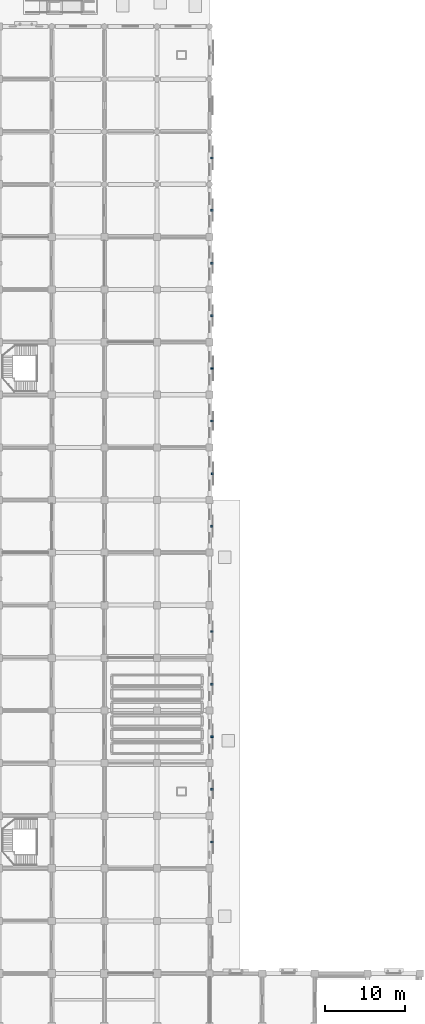
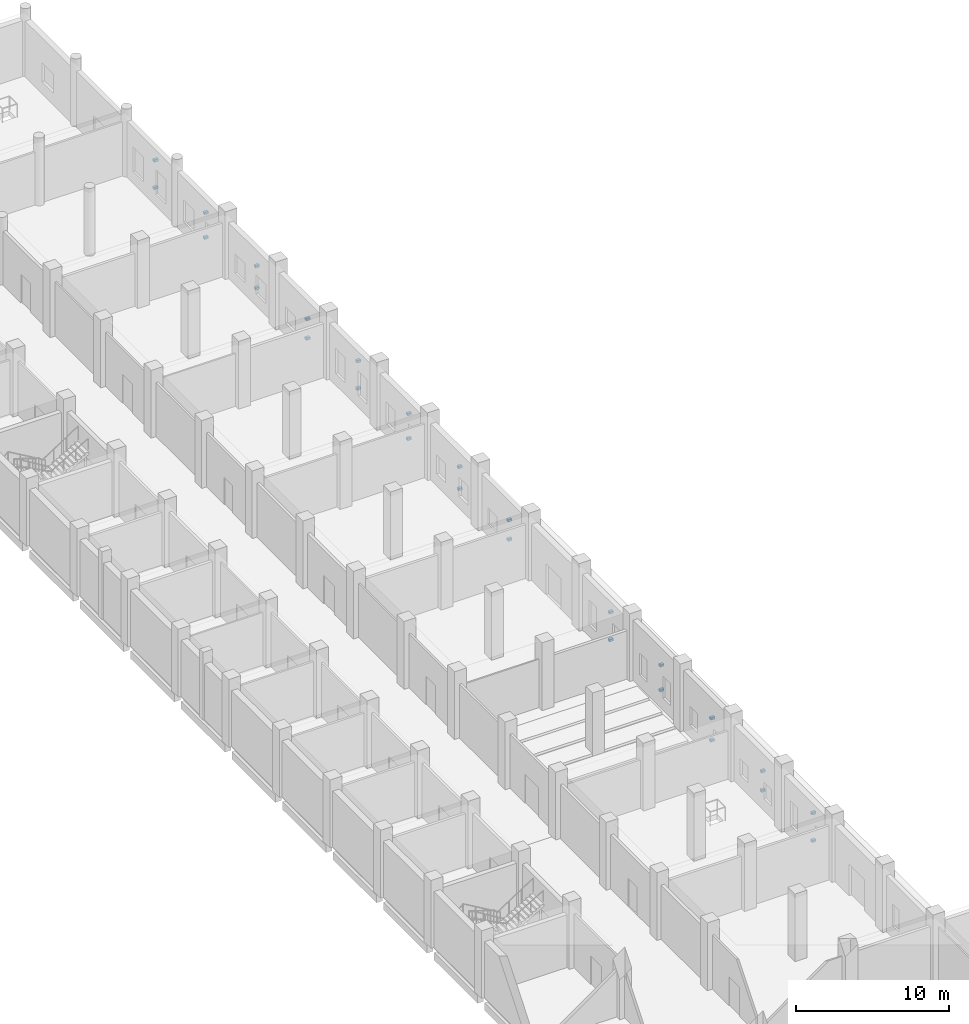
# One storey, part 22 of 28: 26 discrete accessories.
"""IFC4 building model written with IfcOpenShell, lengths in metres."""

from ifc_helpers import new_model, si_unit, direction, frame, origin, origin_2d, place, context, subcontext, project, spatial, rectangle, extrude, material, type_object, element, save


model = new_model("IFC4")

# Units and contexts
model_context = context("Model", 3, precision=1e-05, world=origin(), true_north=direction((0.0, 1.0)))
body_context = subcontext(model_context, "Body", "Model", "MODEL_VIEW")
ifc_project = project(units=[si_unit("LENGTHUNIT", "METRE"), si_unit("AREAUNIT", "SQUARE_METRE"), si_unit("VOLUMEUNIT", "CUBIC_METRE"), si_unit("PLANEANGLEUNIT", "RADIAN"), si_unit("MASSUNIT", "GRAM", prefix="KILO")], contexts=[model_context])

# Site, building, storey
site_placement = place(None, origin())
site = spatial("IfcSite", under=ifc_project, at=site_placement, CompositionType="ELEMENT")
building_placement = place(site_placement, origin())
building = spatial("IfcBuilding", under=site, at=building_placement, Name="Rusizi Kubbe Research Institute", CompositionType="ELEMENT")
storey_placement = place(building_placement, origin())
storey = spatial("IfcBuildingStorey", under=building, at=storey_placement, Name="L00", CompositionType="ELEMENT", Elevation=0.0)

# Discrete accessories
ifc_material = material(Name="Steel S355", Category="steel")
discrete_accessory_type = type_object("IfcDiscreteAccessoryType", Name="BK-01", PredefinedType="BRACKET", material=ifc_material)
for number, where, z_axis, x_axis, name in (
    (1, (26.719970703125, 69.300048828125, 0.740234375), (0.0, 0.0, 1.0), (1.0, 0.0, 0.0), "Solar Screen Bracket 2-1"),
    (2, (26.719970703125, 69.300048828125, 2.93994140625), (0.0, 0.0, 1.0), (1.0, 0.0, 0.0), "Solar Screen Bracket 2-2"),
    (3, (26.7099609375, 75.89990234375, 0.740234375), (0.0, 0.0, 1.0), (1.0, 0.0, 0.0), "Solar Screen Bracket 3-1"),
    (4, (26.7099609375, 75.89990234375, 2.2802734375), (0.0, 0.0, 1.0), (1.0, 0.0, 0.0), "Solar Screen Bracket 3-2"),
    (5, (26.702392578125, 82.5, 0.740234375), (0.0, 0.0, 1.0), (1.0, 0.0, 0.0), "Solar Screen Bracket 4-1"),
    (6, (26.702392578125, 82.5, 2.5), (0.0, 0.0, 1.0), (1.0, 0.0, 0.0), "Solar Screen Bracket 4-2"),
    (7, (26.695068359375, 89.10009765625, 0.740234375), (0.0, 0.0, 1.0), (1.0, 0.0, 0.0), "Solar Screen Bracket 5-1"),
    (8, (26.695068359375, 89.10009765625, 2.72021484375), (0.0, 0.0, 1.0), (1.0, 0.0, 0.0), "Solar Screen Bracket 5-2"),
    (9, (26.6875, 95.699951171875, 0.740234375), (0.0, 0.0, 1.0), (1.0, 0.0, 0.0), "Solar Screen Bracket 6-1"),
    (10, (26.6875, 95.699951171875, 2.93994140625), (0.0, 0.0, 1.0), (1.0, 0.0, 0.0), "Solar Screen Bracket 6-2"),
    (11, (26.672607421875, 108.89990234375, 0.740234375), (0.0, 0.0, 1.0), (1.0, 0.0, 0.0), "Solar Screen Bracket 7-1"),
    (12, (26.672607421875, 108.89990234375, 2.2802734375), (0.0, 0.0, 1.0), (1.0, 0.0, 0.0), "Solar Screen Bracket 7-2"),
    (13, (26.72998046875, 115.5, 0.740234375), (0.0, 0.0, 1.0), (1.0, 0.0, 0.0), "Solar Screen Bracket 8-1"),
    (14, (26.72998046875, 115.5, 2.5), (0.0, 0.0, 1.0), (1.0, 0.0, 0.0), "Solar Screen Bracket 8-2"),
    (15, (26.719970703125, 122.10009765625, 0.740234375), (0.0, 0.0, 1.0), (1.0, 0.0, 0.0), "Solar Screen Bracket 9-1"),
    (16, (26.719970703125, 122.10009765625, 2.72021484375), (0.0, 0.0, 1.0), (1.0, 0.0, 0.0), "Solar Screen Bracket 9-2"),
    (17, (26.7099609375, 128.699951171875, 0.740234375), (0.0, 0.0, 1.0), (1.0, 0.0, 0.0), "Solar Screen Bracket 10-1"),
    (18, (26.7099609375, 128.699951171875, 2.93994140625), (0.0, 0.0, 1.0), (1.0, 0.0, 0.0), "Solar Screen Bracket 10-2"),
    (19, (26.702392578125, 135.300048828125, 0.740234375), (0.0, 0.0, 1.0), (1.0, 0.0, 0.0), "Solar Screen Bracket 11-1"),
    (20, (26.702392578125, 135.300048828125, 2.2802734375), (0.0, 0.0, 1.0), (1.0, 0.0, 0.0), "Solar Screen Bracket 11-2"),
    (21, (26.695068359375, 141.89990234375, 0.740234375), (0.0, 0.0, 1.0), (1.0, 0.0, 0.0), "Solar Screen Bracket 12-1"),
    (22, (26.695068359375, 141.89990234375, 2.5), (0.0, 0.0, 1.0), (1.0, 0.0, 0.0), "Solar Screen Bracket 12-2"),
    (23, (26.6875, 148.550048828125, 0.740234375), (0.0, 0.0, 1.0), (1.0, 0.0, 0.0), "Solar Screen Bracket 13-1"),
    (24, (26.6875, 148.550048828125, 2.72021484375), (0.0, 0.0, 1.0), (1.0, 0.0, 0.0), "Solar Screen Bracket 13-2"),
    (25, (26.679931640625, 155.10009765625, 0.740234375), (0.0, 0.0, 1.0), (1.0, 0.0, 0.0), "Solar Screen Bracket 14-1"),
    (26, (26.679931640625, 155.10009765625, 2.93994140625), (0.0, 0.0, 1.0), (1.0, 0.0, 0.0), "Solar Screen Bracket 14-2"),
):
    element("IfcDiscreteAccessory", number, at=place(storey_placement, frame(where, z_axis=z_axis, x_axis=x_axis)), inside=storey, type_object=discrete_accessory_type, Name=name, PredefinedType="BRACKET", context=body_context, shape_type="SweptSolid", body=[
        extrude(rectangle(XDim=0.300048828125, YDim=0.219970703125, at=origin_2d()), origin(), (0.0, 0.0, 1.0), 0.179931640625),
    ])

save(model, "model.ifc")
